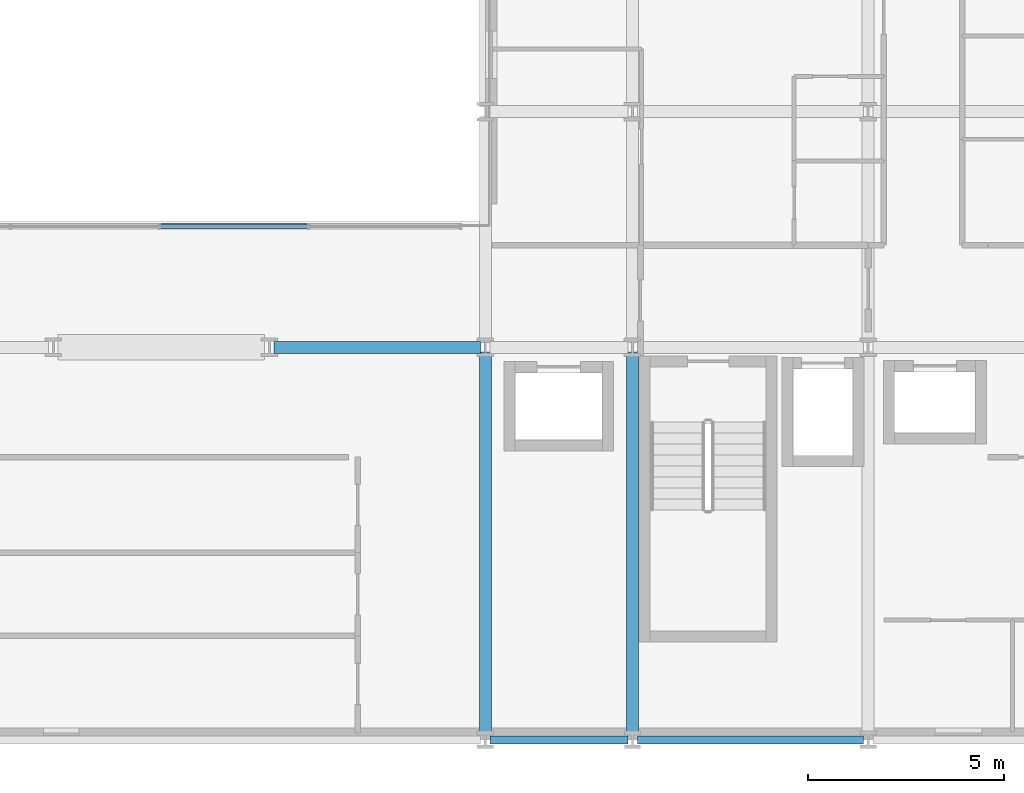
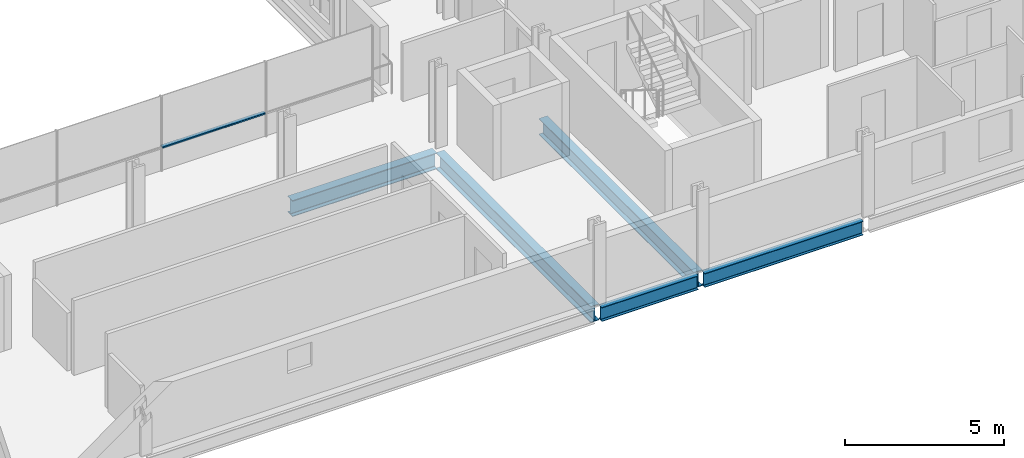
# One storey, part 12 of 38: 5 beams, 1 member, 1 element without a shape of its own.
"""IFC4 building model written with IfcOpenShell, lengths in metres."""

import ifcopenshell
import ifcopenshell.guid

model = None  # the IFC model being written
_history = None  # IfcOwnerHistory: only IFC2X3 demands one
_inside = {}  # id of a spatial element -> (the spatial element, [elements in it])
_under = {}  # id of a project, library or spatial element -> (it, [spatial elements below it])
_declared = {}  # id of a project -> (the project, [libraries it declares])
_typed = {}  # id of a type object -> (the type object, [elements of that type])
_made_of = {}  # id of a material, layer set ... -> (it, [elements and type objects made of it])


def new_model(schema):
    """Start an empty IFC model of exactly this schema.

    Asked for "IFC4X3", IfcOpenShell would pick the latest addendum, in which some entities
    have other attributes; the version numbers below select the first issue.
    IFC2X3 requires an IfcOwnerHistory on every rooted entity: one is made here for all.
    """
    global model, _history
    if schema == "IFC4X3":
        model = ifcopenshell.file(schema_version=(4, 3, 0, 0))
    else:
        model = ifcopenshell.file(schema=schema)
    _inside.clear()
    _under.clear()
    _declared.clear()
    _typed.clear()
    _made_of.clear()
    _history = None
    if model.schema == "IFC2X3":
        org = make("IfcOrganization", Name="unknown")
        user = make(
            "IfcPersonAndOrganization",
            ThePerson=make("IfcPerson", FamilyName="unknown"),
            TheOrganization=org,
        )
        app = make(
            "IfcApplication",
            ApplicationDeveloper=org,
            Version="unknown",
            ApplicationFullName="unknown",
            ApplicationIdentifier="unknown",
        )
        _history = make(
            "IfcOwnerHistory",
            OwningUser=user,
            OwningApplication=app,
            ChangeAction="ADDED",
            CreationDate=0,
        )
    return model


def make(cls, **values):
    """One entity of the class cls with the attributes given. An attribute that is None is left unset."""
    return model.create_entity(
        cls, **{name: value for name, value in values.items() if value is not None}
    )


def rooted(cls, **values):
    """An entity with a GlobalId (a new one), such as an element, a storey or a relation."""
    return make(cls, GlobalId=ifcopenshell.guid.new(), OwnerHistory=_history, **values)


def si_unit(unit_type, name, prefix=None):
    """IfcSIUnit, for example si_unit("LENGTHUNIT", "METRE", prefix="MILLI")."""
    return make("IfcSIUnit", UnitType=unit_type, Prefix=prefix, Name=name)


def assignment(units):
    """IfcUnitAssignment: the units of a project."""
    return None if units is None else make("IfcUnitAssignment", Units=units)


def point(xyz):
    """IfcCartesianPoint."""
    return None if xyz is None else make("IfcCartesianPoint", Coordinates=xyz)


def direction(xyz):
    """IfcDirection."""
    return None if xyz is None else make("IfcDirection", DirectionRatios=xyz)


def frame(location, z_axis=None, x_axis=None):
    """IfcAxis2Placement3D, a coordinate frame: its origin and axes. An axis left out is left unset."""
    return make(
        "IfcAxis2Placement3D",
        Location=point(location),
        Axis=direction(z_axis),
        RefDirection=direction(x_axis),
    )


def frame_2d(location, x_axis=None):
    """IfcAxis2Placement2D, a coordinate frame in the plane: its origin and x axis."""
    return make(
        "IfcAxis2Placement2D", Location=point(location), RefDirection=direction(x_axis)
    )


def origin():
    """The frame at (0, 0, 0) with its axes left unset."""
    return frame((0.0, 0.0, 0.0))


def origin_2d():
    """The frame at (0, 0) in the plane with its x axis left unset."""
    return frame_2d((0.0, 0.0))


def place(relative_to, where):
    """IfcLocalPlacement: puts the frame where relative to a parent placement (None: the world)."""
    return make(
        "IfcLocalPlacement", PlacementRelTo=relative_to, RelativePlacement=where
    )


def context(
    kind, dimensions, precision=None, world=None, true_north=None, identifier=None
):
    """IfcGeometricRepresentationContext, for example the 3D "Model" context."""
    return make(
        "IfcGeometricRepresentationContext",
        ContextIdentifier=identifier,
        ContextType=kind,
        CoordinateSpaceDimension=dimensions,
        Precision=precision,
        WorldCoordinateSystem=world,
        TrueNorth=true_north,
    )


def subcontext(parent, identifier, kind, view, scale=None):
    """IfcGeometricRepresentationSubContext, for example "Body" below "Model"."""
    return make(
        "IfcGeometricRepresentationSubContext",
        ContextIdentifier=identifier,
        ContextType=kind,
        ParentContext=parent,
        TargetScale=scale,
        TargetView=view,
    )


def project(units=None, contexts=None):
    """IfcProject with its units and contexts."""
    return rooted(
        "IfcProject",
        Name="project",
        RepresentationContexts=contexts,
        UnitsInContext=assignment(units),
    )


def spatial(cls, under=None, at=None, **own):
    """A site, building, storey or space (cls), placed at a placement, below another one or the project."""
    s = rooted(cls, ObjectPlacement=at, **own)
    if under is not None:
        _under.setdefault(under.id(), (under, []))[1].append(s)
    return s


def profile(cls, at=None, kind="AREA", **sizes):
    """A parametric profile (cls). Its sizes go by their IFC names, for example OverallWidth=200.0."""
    return make(cls, ProfileType=kind, Position=at, **sizes)


def hollow_rectangle(**sizes):
    """IfcRectangleHollowProfileDef."""
    return profile("IfcRectangleHollowProfileDef", **sizes)


def i_section(**sizes):
    """IfcIShapeProfileDef."""
    return profile("IfcIShapeProfileDef", **sizes)


def extrude(swept, where, along, depth):
    """IfcExtrudedAreaSolid: the profile swept, set in the frame where, extruded along a direction by depth."""
    return make(
        "IfcExtrudedAreaSolid",
        SweptArea=swept,
        Position=where,
        ExtrudedDirection=direction(along),
        Depth=depth,
    )


def shape(context_of_items, identifier, shape_type, items):
    """IfcShapeRepresentation: the items that make up one representation, for example the "Body"."""
    return make(
        "IfcShapeRepresentation",
        ContextOfItems=context_of_items,
        RepresentationIdentifier=identifier,
        RepresentationType=shape_type,
        Items=items,
    )


def material(Name=None, Category=None):
    """IfcMaterial."""
    return make("IfcMaterial", Name=Name, Category=Category)


def layer(
    of_material, thickness, ventilated=None, Name=None, Category=None, Priority=None
):
    """IfcMaterialLayer: one layer of a wall or slab, of a material (None: an air gap)."""
    return make(
        "IfcMaterialLayer",
        Material=of_material,
        LayerThickness=thickness,
        IsVentilated=ventilated,
        Name=Name,
        Category=Category,
        Priority=Priority,
    )


def layer_set(layers, Name=None):
    """IfcMaterialLayerSet."""
    return make("IfcMaterialLayerSet", MaterialLayers=layers, LayerSetName=Name)


def material_profile(
    of_material, cross_section, Name=None, Category=None, Priority=None
):
    """IfcMaterialProfile: a cross section and its material."""
    return make(
        "IfcMaterialProfile",
        Name=Name,
        Material=of_material,
        Profile=cross_section,
        Priority=Priority,
        Category=Category,
    )


def profile_set(profiles, Name=None, composite=None):
    """IfcMaterialProfileSet."""
    return make(
        "IfcMaterialProfileSet",
        Name=Name,
        MaterialProfiles=profiles,
        CompositeProfile=composite,
    )


def made_of(thing, what):
    """Note that an element or type object is made of a material, layer set ...; save() writes the relation."""
    if what is not None:
        _made_of.setdefault(what.id(), (what, []))[1].append(thing)
    return thing


def type_object(cls, material=None, **own):
    """A type object (cls), such as IfcWallType, which elements share."""
    return made_of(rooted(cls, **own), material)


def element(
    cls,
    number,
    at=None,
    inside=None,
    cuts=None,
    type_object=None,
    material=None,
    context=None,
    identifier="Body",
    shape_type=None,
    held_by="IfcProductDefinitionShape",
    body=None,
    shapes=None,
    **own,
):
    """One element of the class cls, such as IfcWall. Its Tag is "e" and its number.

    at: its placement. inside: the storey or other place that contains it. cuts: it is an
    opening in that element (IfcRelVoidsElement). A single representation is given by context,
    identifier, shape_type and body (its items); several are given by shapes. held_by: the class
    of the entity that holds the representations. save() writes the other relations.
    """
    e = rooted(cls, Tag="e%d" % number, ObjectPlacement=at, **own)
    if body is not None:
        shapes = [shape(context, identifier, shape_type, body)]
    if shapes is not None:
        e.Representation = make(held_by, Representations=shapes)
    if inside is not None:
        _inside.setdefault(inside.id(), (inside, []))[1].append(e)
    if cuts is not None:
        rooted(
            "IfcRelVoidsElement", RelatingBuildingElement=cuts, RelatedOpeningElement=e
        )
    if type_object is not None:
        _typed.setdefault(type_object.id(), (type_object, []))[1].append(e)
    return made_of(e, material)


def aggregate(whole, parts):
    """IfcRelAggregates: a whole, such as a stair, and the parts it consists of."""
    return rooted("IfcRelAggregates", RelatingObject=whole, RelatedObjects=parts)


def save(model, path):
    """Write the relations noted so far, then the file.

    IfcRelAggregates (storeys below a building ...), IfcRelContainedInSpatialStructure (elements
    in a storey), IfcRelDefinesByType, IfcRelAssociatesMaterial and IfcRelDeclares: one each for
    every whole, place, type object, material and project.
    """
    for whole, parts in _under.values():
        aggregate(whole, parts)
    for where, things in _inside.values():
        rooted(
            "IfcRelContainedInSpatialStructure",
            RelatedElements=things,
            RelatingStructure=where,
        )
    for kind, things in _typed.values():
        rooted("IfcRelDefinesByType", RelatedObjects=things, RelatingType=kind)
    for what, things in _made_of.values():
        rooted("IfcRelAssociatesMaterial", RelatedObjects=things, RelatingMaterial=what)
    for by, libraries in _declared.values():
        rooted("IfcRelDeclares", RelatingContext=by, RelatedDefinitions=libraries)
    model.write(path)


model = new_model("IFC4")

# Units and contexts
model_context = context("Model", 3, precision=1e-05, world=origin(), true_north=direction((0.0, 1.0)))
body_context = subcontext(model_context, "Body", "Model", "MODEL_VIEW")
ifc_project = project(units=[si_unit("LENGTHUNIT", "METRE"), si_unit("AREAUNIT", "SQUARE_METRE"), si_unit("VOLUMEUNIT", "CUBIC_METRE"), si_unit("PLANEANGLEUNIT", "RADIAN"), si_unit("MASSUNIT", "GRAM", prefix="KILO")], contexts=[model_context])

# Site, building, storey
site_placement = place(None, origin())
site = spatial("IfcSite", under=ifc_project, at=site_placement, CompositionType="ELEMENT")
building_placement = place(site_placement, origin())
building = spatial("IfcBuilding", under=site, at=building_placement, Name="Brevholm Reach", CompositionType="ELEMENT")
storey_placement = place(building_placement, frame((0.0, 0.0, 59.0)))
storey = spatial("IfcBuildingStorey", under=building, at=storey_placement, Name="L16", CompositionType="ELEMENT", Elevation=59.0)

# Beams
ifc_material_1 = material(Name="Structural Steel S355J2", Category="steel")
ifc_material_profile_1 = material_profile(ifc_material_1, i_section(OverallWidth=0.210693359375, OverallDepth=0.53955078125, WebThickness=0.01171875, FlangeThickness=0.018798828125, FilletRadius=0.0126953125, at=origin_2d()), Name="UKB 533x210x109")
ifc_profile_set_1 = profile_set([ifc_material_profile_1], Name="Structural Steel S355J2")
beam_type_1 = type_object("IfcBeamType", Name="BM-SP539", PredefinedType="SPANDREL", material=ifc_profile_set_1)
beam_1_placement = place(storey_placement, frame((38.3701171875, 0.0, -0.499755859375), z_axis=(1.0, 0.0, 0.0), x_axis=(0.0, 1.0, 0.0)))
element("IfcBeam", 1, at=beam_1_placement, inside=storey, type_object=beam_type_1, Name="L16 SP-01B Framing Beam", PredefinedType="SPANDREL", context=body_context, shape_type="SweptSolid", body=[
    extrude(i_section(OverallWidth=0.210693359375, OverallDepth=0.53955078125, WebThickness=0.01171875, FlangeThickness=0.018798828125, FilletRadius=0.0126953125, at=origin_2d()), origin(), (0.0, 0.0, 1.0), 3.509765625),
])
beam_2_placement = place(storey_placement, frame((42.1201171875, 0.0, -0.499755859375), z_axis=(1.0, 0.0, 0.0), x_axis=(0.0, 1.0, 0.0)))
element("IfcBeam", 2, at=beam_2_placement, inside=storey, type_object=beam_type_1, Name="L16 SP-01B Framing Beam", PredefinedType="SPANDREL", context=body_context, shape_type="SweptSolid", body=[
    extrude(i_section(OverallWidth=0.210693359375, OverallDepth=0.53955078125, WebThickness=0.01171875, FlangeThickness=0.018798828125, FilletRadius=0.0126953125, at=origin_2d()), origin(), (0.0, 0.0, 1.0), 5.759765625),
])
ifc_material_2 = material(Name="Structural Steel S355J2", Category="steel")
ifc_material_profile_2 = material_profile(ifc_material_2, i_section(OverallWidth=0.30712890625, OverallDepth=0.6201171875, WebThickness=0.01416015625, FlangeThickness=0.023681640625, FilletRadius=0.0166015625, at=origin_2d()), Name="UKB 610x305x179")
ifc_profile_set_2 = profile_set([ifc_material_profile_2], Name="Structural Steel S355J2")
beam_type_2 = type_object("IfcBeamType", Name="BM-UKB610H", PredefinedType="USERDEFINED", material=ifc_profile_set_2)
beam_3_placement = place(storey_placement, frame((32.8701171875, 10.0, -0.5400390625), z_axis=(1.0, 0.0, 0.0), x_axis=(0.0, 1.0, 0.0)))
element("IfcBeam", 3, at=beam_3_placement, inside=storey, type_object=beam_type_2, Name="L16 G-06 Framing Beam", ObjectType="GIRDER", PredefinedType="USERDEFINED", context=body_context, shape_type="SweptSolid", body=[
    extrude(i_section(OverallWidth=0.30712890625, OverallDepth=0.6201171875, WebThickness=0.01416015625, FlangeThickness=0.023681640625, FilletRadius=0.0166015625, at=origin_2d()), origin(), (0.0, 0.0, 1.0), 5.259765625),
])
for number, where, z_axis, x_axis, name in (
    (4, (38.25, 0.1201171875, -0.5400390625), (0.0, 1.0, 0.0), (-1.0, 0.0, 0.0), "L16 G-06 Framing Beam"),
    (5, (42.0, 0.1201171875, -0.5400390625), (0.0, 1.0, 0.0), (-1.0, 0.0, 0.0), "L16 G-06 Framing Beam"),
):
    element("IfcBeam", number, at=place(storey_placement, frame(where, z_axis=z_axis, x_axis=x_axis)), inside=storey, type_object=beam_type_2, Name=name, ObjectType="GIRDER", PredefinedType="USERDEFINED", context=body_context, shape_type="SweptSolid", body=[
        extrude(i_section(OverallWidth=0.30712890625, OverallDepth=0.6201171875, WebThickness=0.01416015625, FlangeThickness=0.023681640625, FilletRadius=0.0166015625, at=origin_2d()), origin(), (0.0, 0.0, 1.0), 9.759765625),
    ])

# Curtain wall, member
ifc_material_3 = material(Name="Dark Anodised Aluminium 6063-T6 and Solar-Control Glass", Category="aluminium")
ifc_layer = layer(ifc_material_3, 0.139892578125)
ifc_layer_set = layer_set([ifc_layer], Name="Dark Anodised Aluminium 6063-T6 and Solar-Control Glass")
curtain_wall_type = type_object("IfcCurtainWallType", Name="CW-02", PredefinedType="NOTDEFINED", material=ifc_layer_set)
curtain_wall_placement = place(storey_placement, origin())
curtain_wall = element("IfcCurtainWall", 6, at=curtain_wall_placement, inside=storey, type_object=curtain_wall_type, Name="L16 Curtain Wall CW-02", PredefinedType="NOTDEFINED")
ifc_material_4 = material(Name="Dark Anodised Aluminium 6063-T6", Category="aluminium")
ifc_material_profile_3 = material_profile(ifc_material_4, hollow_rectangle(XDim=0.06005859375, YDim=0.139892578125, WallThickness=0.0048828125, InnerFilletRadius=0.0048828125, OuterFilletRadius=0.010009765625, at=origin_2d()), Name="RHS 140x60x5")
ifc_profile_set_3 = profile_set([ifc_material_profile_3], Name="Dark Anodised Aluminium 6063-T6")
member_type = type_object("IfcMemberType", Name="CWT-140", PredefinedType="NOTDEFINED", material=ifc_profile_set_3)
member_placement = place(storey_placement, frame((29.97998046875, 13.080078125, 0.89990234375), z_axis=(1.0, 0.0, 0.0), x_axis=(0.0, 0.0, 1.0)))
member = element("IfcMember", 7, at=member_placement, type_object=member_type, Name="CT-140 Transom 3.1", ObjectType="TRANSOM", PredefinedType="USERDEFINED", context=body_context, shape_type="SweptSolid", body=[
    extrude(hollow_rectangle(XDim=0.06005859375, YDim=0.139892578125, WallThickness=0.0048828125, InnerFilletRadius=0.0048828125, OuterFilletRadius=0.010009765625, at=origin_2d()), origin(), (0.0, 0.0, 1.0), 3.739990234375),
])
aggregate(curtain_wall, [member])

save(model, "model.ifc")
